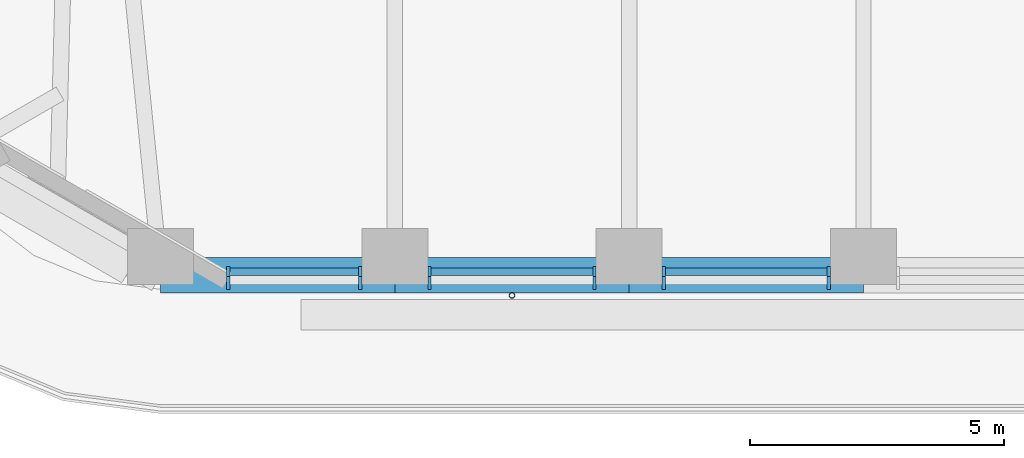
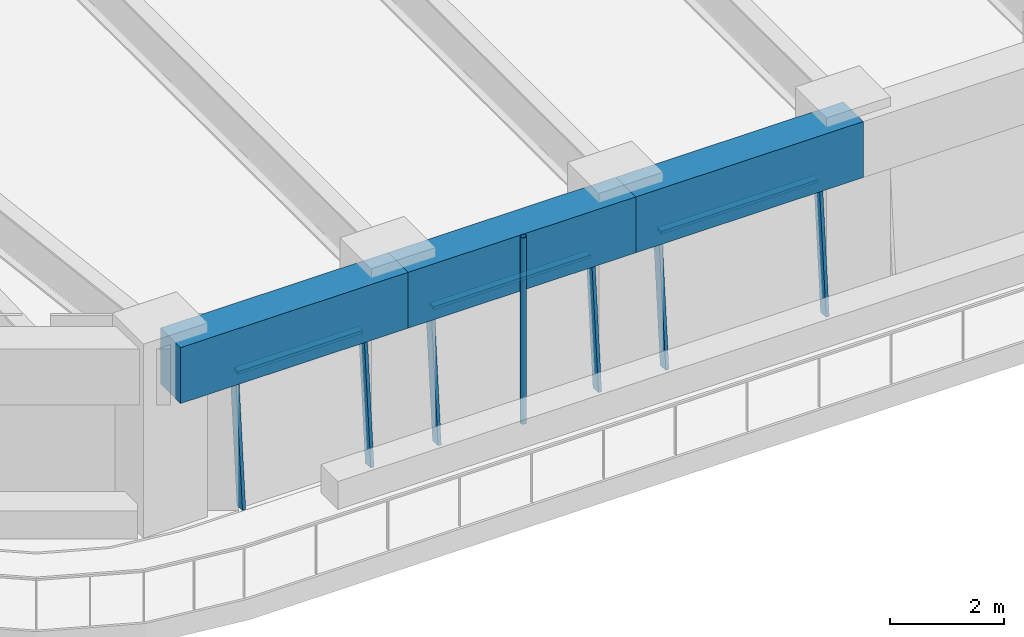
# One storey, part 2 of 20: 10 members, 3 beams, 3 elements without a shape of their own.
"""IFC4 building model written with IfcOpenShell, lengths in metres."""

from ifc_helpers import new_model, si_unit, direction, frame, origin, origin_2d, place, context, subcontext, project, spatial, rectangle, hollow_circle, extrude, material, material_profile, profile_set, type_object, element, aggregate, save


model = new_model("IFC4")

# Units and contexts
model_context = context("Model", 3, precision=1e-05, world=origin(), true_north=direction((0.0, 1.0)))
body_context = subcontext(model_context, "Body", "Model", "MODEL_VIEW")
ifc_project = project(units=[si_unit("LENGTHUNIT", "METRE"), si_unit("AREAUNIT", "SQUARE_METRE"), si_unit("VOLUMEUNIT", "CUBIC_METRE"), si_unit("PLANEANGLEUNIT", "RADIAN"), si_unit("MASSUNIT", "GRAM", prefix="KILO")], contexts=[model_context])

# Site, building, storey
site_placement = place(None, origin())
site = spatial("IfcSite", under=ifc_project, at=site_placement, CompositionType="ELEMENT")
building_placement = place(site_placement, origin())
building = spatial("IfcBuilding", under=site, at=building_placement, Name="Tarfa Lantern Tower", CompositionType="ELEMENT")
storey_placement = place(building_placement, frame((0.0, 0.0, 244.89990234375)))
storey = spatial("IfcBuildingStorey", under=building, at=storey_placement, Name="L55", CompositionType="ELEMENT", Elevation=244.89990234375)

# Curtain wall, members
ifc_material_1 = material(Name="Aluminium framed curtain wall", Category="aluminium")
curtain_wall_type = type_object("IfcCurtainWallType", Name="CW3 CANTED GLAZING HIGH ZONE 2800", PredefinedType="USERDEFINED", material=ifc_material_1)
curtain_wall_1_placement = place(storey_placement, origin())
curtain_wall_1 = element("IfcCurtainWall", 1, at=curtain_wall_1_placement, inside=storey, type_object=curtain_wall_type, Name="CW3 S L55", ObjectType="CURTAIN WALL", PredefinedType="USERDEFINED")
ifc_material_2 = material(Name="Aluminium mullion", Category="aluminium")
ifc_material_profile_1 = material_profile(ifc_material_2, rectangle(XDim=0.06494140625, YDim=0.199951171875, at=origin_2d()), Name="AL MULLION 65x200")
ifc_profile_set_1 = profile_set([ifc_material_profile_1], Name="Aluminium mullion")
member_type_1 = type_object("IfcMemberType", Name="CWM1 MULLION 65x200", PredefinedType="MULLION", material=ifc_profile_set_1)
member_1_placement = place(storey_placement, frame((-12.52392578125, -28.89990234375, 0.0), z_axis=(0.0, 0.088930399417, 0.996037842685), x_axis=(-1.0, 0.0, 0.0)))
member_1 = element("IfcMember", 2, at=member_1_placement, type_object=member_type_1, Name="CW3 mullion 1", PredefinedType="MULLION", context=body_context, shape_type="SweptSolid", body=[
    extrude(rectangle(XDim=0.06494140625, YDim=0.199951171875, at=origin_2d()), origin(), (0.0, 0.0, 1.0), 2.811279296875),
])
member_2_placement = place(storey_placement, frame((-9.920166015625, -28.89990234375, 0.0), z_axis=(0.0, 0.088930399417, 0.996037842685), x_axis=(-1.0, 0.0, 0.0)))
member_2 = element("IfcMember", 3, at=member_2_placement, type_object=member_type_1, Name="CW3 mullion 2", PredefinedType="MULLION", context=body_context, shape_type="SweptSolid", body=[
    extrude(rectangle(XDim=0.06494140625, YDim=0.199951171875, at=origin_2d()), origin(), (0.0, 0.0, 1.0), 2.811279296875),
])

curtain_wall_2_placement = place(storey_placement, origin())
curtain_wall_2 = element("IfcCurtainWall", 4, at=curtain_wall_2_placement, inside=storey, type_object=curtain_wall_type, Name="CW3 S L55", ObjectType="CURTAIN WALL", PredefinedType="USERDEFINED")
member_3_placement = place(storey_placement, frame((-8.55517578125, -28.89990234375, 0.0), z_axis=(0.0, 0.088930399417, 0.996037842685), x_axis=(-1.0, 0.0, 0.0)))
member_3 = element("IfcMember", 5, at=member_3_placement, type_object=member_type_1, Name="CW3 mullion 1", PredefinedType="MULLION", context=body_context, shape_type="SweptSolid", body=[
    extrude(rectangle(XDim=0.06494140625, YDim=0.199951171875, at=origin_2d()), origin(), (0.0, 0.0, 1.0), 2.811279296875),
])
member_4_placement = place(storey_placement, frame((-5.30126953125, -28.89990234375, 0.0), z_axis=(0.0, 0.088930399417, 0.996037842685), x_axis=(-1.0, 0.0, 0.0)))
member_4 = element("IfcMember", 6, at=member_4_placement, type_object=member_type_1, Name="CW3 mullion 2", PredefinedType="MULLION", context=body_context, shape_type="SweptSolid", body=[
    extrude(rectangle(XDim=0.06494140625, YDim=0.199951171875, at=origin_2d()), origin(), (0.0, 0.0, 1.0), 2.811279296875),
])

curtain_wall_3_placement = place(storey_placement, origin())
curtain_wall_3 = element("IfcCurtainWall", 7, at=curtain_wall_3_placement, inside=storey, type_object=curtain_wall_type, Name="CW3 S L55", ObjectType="CURTAIN WALL", PredefinedType="USERDEFINED")
member_5_placement = place(storey_placement, frame((-3.936279296875, -28.89990234375, 0.0), z_axis=(0.0, 0.088930399417, 0.996037842685), x_axis=(-1.0, 0.0, 0.0)))
member_5 = element("IfcMember", 8, at=member_5_placement, type_object=member_type_1, Name="CW3 mullion 1", PredefinedType="MULLION", context=body_context, shape_type="SweptSolid", body=[
    extrude(rectangle(XDim=0.06494140625, YDim=0.199951171875, at=origin_2d()), origin(), (0.0, 0.0, 1.0), 2.811279296875),
])
member_6_placement = place(storey_placement, frame((-0.6826171875, -28.89990234375, 0.0), z_axis=(0.0, 0.088930399417, 0.996037842685), x_axis=(-1.0, 0.0, 0.0)))
member_6 = element("IfcMember", 9, at=member_6_placement, type_object=member_type_1, Name="CW3 mullion 2", PredefinedType="MULLION", context=body_context, shape_type="SweptSolid", body=[
    extrude(rectangle(XDim=0.06494140625, YDim=0.199951171875, at=origin_2d()), origin(), (0.0, 0.0, 1.0), 2.811279296875),
])

# Member
ifc_material_3 = material(Name="Aluminium transom", Category="aluminium")
ifc_material_profile_2 = material_profile(ifc_material_3, rectangle(XDim=0.14990234375, YDim=0.06494140625, at=origin_2d()), Name="AL TRANSOM 150x65")
ifc_profile_set_2 = profile_set([ifc_material_profile_2], Name="Aluminium transom")
member_type_2 = type_object("IfcMemberType", Name="CWT1 TRANSOM 150x65", PredefinedType="USERDEFINED", material=ifc_profile_set_2)
member_7_placement = place(storey_placement, frame((-12.491455078125, -28.65283203125, 2.767578125), z_axis=(1.0, 0.0, 0.0), x_axis=(0.0, 1.0, 0.0)))
member_7 = element("IfcMember", 10, at=member_7_placement, type_object=member_type_2, Name="CW3 transom 1.2", ObjectType="TRANSOM", PredefinedType="USERDEFINED", context=body_context, shape_type="SweptSolid", body=[
    extrude(rectangle(XDim=0.14990234375, YDim=0.06494140625, at=origin_2d()), origin(), (0.0, 0.0, 1.0), 2.538818359375),
])

aggregate(curtain_wall_1, [member_1, member_2, member_7])

member_8_placement = place(storey_placement, frame((-8.522705078125, -28.65283203125, 2.767578125), z_axis=(1.0, 0.0, 0.0), x_axis=(0.0, 1.0, 0.0)))
member_8 = element("IfcMember", 11, at=member_8_placement, type_object=member_type_2, Name="CW3 transom 1.2", ObjectType="TRANSOM", PredefinedType="USERDEFINED", context=body_context, shape_type="SweptSolid", body=[
    extrude(rectangle(XDim=0.14990234375, YDim=0.06494140625, at=origin_2d()), origin(), (0.0, 0.0, 1.0), 3.18896484375),
])

aggregate(curtain_wall_2, [member_3, member_4, member_8])

member_9_placement = place(storey_placement, frame((-3.90380859375, -28.65283203125, 2.767578125), z_axis=(1.0, 0.0, 0.0), x_axis=(0.0, 1.0, 0.0)))
member_9 = element("IfcMember", 12, at=member_9_placement, type_object=member_type_2, Name="CW3 transom 1.2", ObjectType="TRANSOM", PredefinedType="USERDEFINED", context=body_context, shape_type="SweptSolid", body=[
    extrude(rectangle(XDim=0.14990234375, YDim=0.06494140625, at=origin_2d()), origin(), (0.0, 0.0, 1.0), 3.188720703125),
])

aggregate(curtain_wall_3, [member_5, member_6, member_9])

# Beams
ifc_material_4 = material(Name="Concrete C80/95", Category="concrete")
ifc_material_profile_3 = material_profile(ifc_material_4, rectangle(XDim=0.699951171875, YDim=1.199951171875, at=origin_2d()), Name="RC 700x1200")
ifc_profile_set_3 = profile_set([ifc_material_profile_3], Name="Concrete C80/95")
beam_type = type_object("IfcBeamType", Name="EB3 RC 700x1200", PredefinedType="SPANDREL", material=ifc_profile_set_3)
beam_1_placement = place(storey_placement, frame((-13.8564453125, -28.719970703125, 3.400146484375), z_axis=(1.0, 0.0, 0.0), x_axis=(0.0, 1.0, 0.0)))
element("IfcBeam", 13, at=beam_1_placement, inside=storey, type_object=beam_type, Name="Edge beam S0", PredefinedType="SPANDREL", context=body_context, shape_type="SweptSolid", body=[
    extrude(rectangle(XDim=0.699951171875, YDim=1.199951171875, at=origin_2d()), origin(), (0.0, 0.0, 1.0), 4.618896484375),
])
beam_2_placement = place(storey_placement, frame((-9.237548828125, -28.719970703125, 3.400146484375), z_axis=(1.0, 0.0, 0.0), x_axis=(0.0, 1.0, 0.0)))
element("IfcBeam", 14, at=beam_2_placement, inside=storey, type_object=beam_type, Name="Edge beam S1", PredefinedType="SPANDREL", context=body_context, shape_type="SweptSolid", body=[
    extrude(rectangle(XDim=0.699951171875, YDim=1.199951171875, at=origin_2d()), origin(), (0.0, 0.0, 1.0), 4.61865234375),
])
beam_3_placement = place(storey_placement, frame((-4.618896484375, -28.719970703125, 3.400146484375), z_axis=(1.0, 0.0, 0.0), x_axis=(0.0, 1.0, 0.0)))
element("IfcBeam", 15, at=beam_3_placement, inside=storey, type_object=beam_type, Name="Edge beam S2", PredefinedType="SPANDREL", context=body_context, shape_type="SweptSolid", body=[
    extrude(rectangle(XDim=0.699951171875, YDim=1.199951171875, at=origin_2d()), origin(), (0.0, 0.0, 1.0), 4.618896484375),
])

# Member
ifc_material_5 = material(Name="Steel S355", Category="steel")
ifc_material_profile_4 = material_profile(ifc_material_5, hollow_circle(Radius=0.05712890625, WallThickness=0.00634765625, at=origin_2d()), Name="CHS114.3x6.3")
ifc_profile_set_4 = profile_set([ifc_material_profile_4], Name="Steel S355")
member_type_3 = type_object("IfcMemberType", Name="TR1 GREEN WALL TRELLIS CHS114.3x6.3", PredefinedType="USERDEFINED", material=ifc_profile_set_4)
member_10_placement = place(storey_placement, frame((-6.92822265625, -29.1201171875, 0.0), z_axis=(0.0, 0.0, 1.0), x_axis=(1.0, 0.0, 0.0)))
element("IfcMember", 16, at=member_10_placement, inside=storey, type_object=member_type_3, Name="Trellis post S 1", ObjectType="TRELLIS", PredefinedType="USERDEFINED", context=body_context, shape_type="SweptSolid", body=[
    extrude(hollow_circle(Radius=0.05712890625, WallThickness=0.00634765625, at=origin_2d()), origin(), (0.0, 0.0, 1.0), 4.0),
])

save(model, "model.ifc")
